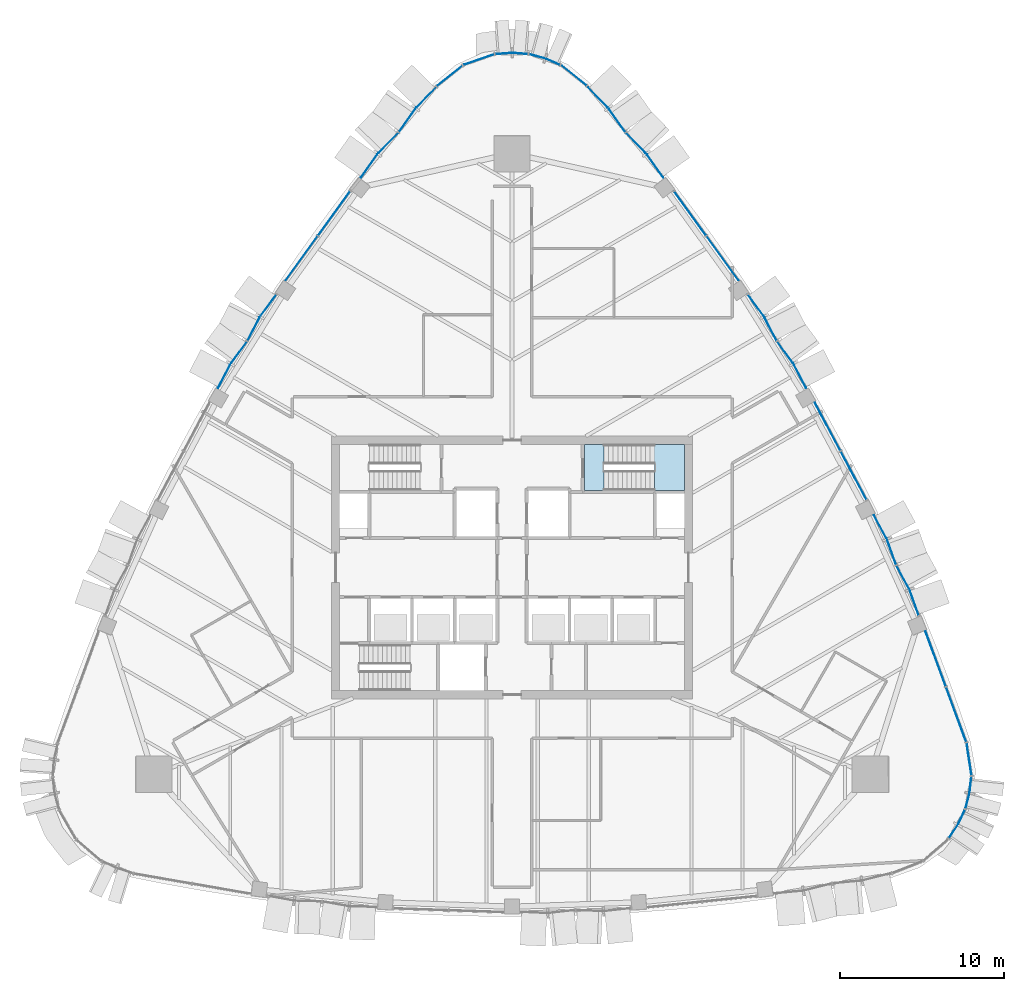
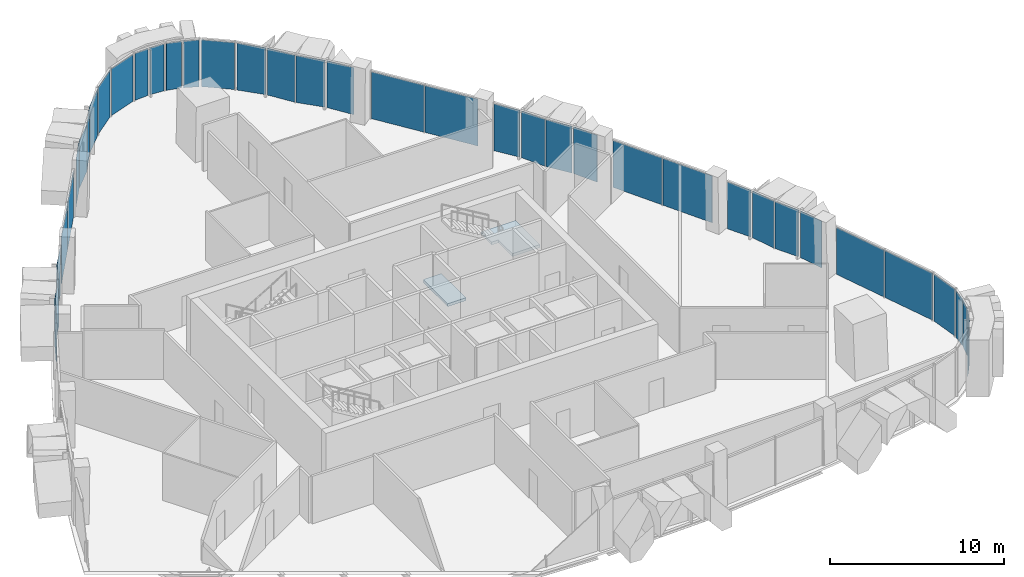
# One storey, part 10 of 18: 40 plates, 2 slabs, 18 elements without a shape of their own.
"""IFC4 building model written with IfcOpenShell, lengths in metres."""

from ifc_helpers import new_model, si_unit, direction, frame, origin, origin_2d, place, context, subcontext, project, spatial, polyline, rectangle, outline, extrude, material, layer, layer_set, type_object, element, aggregate, save


model = new_model("IFC4")

# Units and contexts
model_context = context("Model", 3, precision=1e-05, world=origin(), true_north=direction((0.0, 1.0)))
body_context = subcontext(model_context, "Body", "Model", "MODEL_VIEW")
ifc_project = project(units=[si_unit("LENGTHUNIT", "METRE"), si_unit("AREAUNIT", "SQUARE_METRE"), si_unit("VOLUMEUNIT", "CUBIC_METRE"), si_unit("PLANEANGLEUNIT", "RADIAN"), si_unit("MASSUNIT", "GRAM", prefix="KILO")], contexts=[model_context])

# Site, building, storey
site_placement = place(None, origin())
site = spatial("IfcSite", under=ifc_project, at=site_placement, CompositionType="ELEMENT")
building_placement = place(site_placement, origin())
building = spatial("IfcBuilding", under=site, at=building_placement, Name="Sierra Prisma Convention Tower", CompositionType="ELEMENT")
storey_placement = place(building_placement, frame((0.0, 0.0, 247.0)))
storey = spatial("IfcBuildingStorey", under=building, at=storey_placement, Name="L55", CompositionType="ELEMENT", Elevation=247.0)

# Curtain wall, plate
ifc_material_1 = material(Name="Aluminium and glass curtain wall", Category="aluminium")
ifc_layer_1 = layer(ifc_material_1, 0.179931640625)
ifc_layer_set_1 = layer_set([ifc_layer_1], Name="CW-1 Plain shaft curtain wall")
curtain_wall_type_1 = type_object("IfcCurtainWallType", Name="CW-1 Plain shaft curtain wall", PredefinedType="NOTDEFINED", material=ifc_layer_set_1)
curtain_wall_1_placement = place(storey_placement, origin())
curtain_wall_1 = element("IfcCurtainWall", 1, at=curtain_wall_1_placement, inside=storey, type_object=curtain_wall_type_1, Name="CW-1 SE5 L55", PredefinedType="NOTDEFINED")
ifc_material_2 = material(Name="Tinted glass bronze-grey IGU", Category="glass")
ifc_layer_2 = layer(ifc_material_2, 0.028076171875)
ifc_layer_set_2 = layer_set([ifc_layer_2], Name="CW-1 glass panel")
plate_type_1 = type_object("IfcPlateType", Name="CW-1 glass panel", PredefinedType="CURTAIN_PANEL", material=ifc_layer_set_2)
plate_1_placement = place(storey_placement, frame((27.8408203125, -11.705810546875, 0.0), z_axis=(0.0, 0.0, 1.0), x_axis=(-0.149593719484, 0.988747550738, 0.0)))
plate_1 = element("IfcPlate", 2, at=plate_1_placement, type_object=plate_type_1, Name="CW-1 panel SE5.1", PredefinedType="CURTAIN_PANEL", context=body_context, shape_type="SweptSolid", body=[
    extrude(rectangle(XDim=1.922119140625, YDim=0.028076171875, at=origin_2d()), origin(), (0.0, 0.0, 1.0), 3.280029296875),
])
aggregate(curtain_wall_1, [plate_1])

# Curtain wall, plates
curtain_wall_2_placement = place(storey_placement, origin())
curtain_wall_2 = element("IfcCurtainWall", 3, at=curtain_wall_2_placement, inside=storey, type_object=curtain_wall_type_1, Name="CW-1 NE1 L55", PredefinedType="NOTDEFINED")
plate_2_placement = place(storey_placement, frame((27.0498046875, -8.95703125, 0.0), z_axis=(0.0, 0.0, 1.0), x_axis=(-0.34549240732, 0.938421545194, 0.0)))
plate_2 = element("IfcPlate", 4, at=plate_2_placement, type_object=plate_type_1, Name="CW-1 panel NE1.1", PredefinedType="CURTAIN_PANEL", context=body_context, shape_type="SweptSolid", body=[
    extrude(rectangle(XDim=3.546142578125, YDim=0.028076171875, at=origin_2d()), origin(), (0.0, 0.0, 1.0), 3.280029296875),
])
plate_3_placement = place(storey_placement, frame((25.800537109375, -5.563720703125, 0.0), z_axis=(0.0, 0.0, 1.0), x_axis=(-0.34549240732, 0.938421545194, 0.0)))
plate_3 = element("IfcPlate", 5, at=plate_3_placement, type_object=plate_type_1, Name="CW-1 panel NE1.2", PredefinedType="CURTAIN_PANEL", context=body_context, shape_type="SweptSolid", body=[
    extrude(rectangle(XDim=3.546142578125, YDim=0.028076171875, at=origin_2d()), origin(), (0.0, 0.0, 1.0), 3.280029296875),
])
aggregate(curtain_wall_2, [plate_2, plate_3])

curtain_wall_3_placement = place(storey_placement, origin())
curtain_wall_3 = element("IfcCurtainWall", 6, at=curtain_wall_3_placement, inside=storey, type_object=curtain_wall_type_1, Name="CW-1 NE3 L55", PredefinedType="NOTDEFINED")
plate_4_placement = place(storey_placement, frame((20.810302734375, 5.595458984375, 0.0), z_axis=(0.0, 0.0, 1.0), x_axis=(-0.470124392235, 0.882600167587, 0.0)))
plate_4 = element("IfcPlate", 7, at=plate_4_placement, type_object=plate_type_1, Name="CW-1 panel NE3.1", PredefinedType="CURTAIN_PANEL", context=body_context, shape_type="SweptSolid", body=[
    extrude(rectangle(XDim=3.31494140625, YDim=0.028076171875, at=origin_2d()), origin(), (0.0, 0.0, 1.0), 3.280029296875),
])
plate_5_placement = place(storey_placement, frame((19.218994140625, 8.583251953125, 0.0), z_axis=(0.0, 0.0, 1.0), x_axis=(-0.470124392235, 0.882600167587, 0.0)))
plate_5 = element("IfcPlate", 8, at=plate_5_placement, type_object=plate_type_1, Name="CW-1 panel NE3.2", PredefinedType="CURTAIN_PANEL", context=body_context, shape_type="SweptSolid", body=[
    extrude(rectangle(XDim=3.31494140625, YDim=0.028076171875, at=origin_2d()), origin(), (0.0, 0.0, 1.0), 3.280029296875),
])
aggregate(curtain_wall_3, [plate_4, plate_5])

curtain_wall_4_placement = place(storey_placement, origin())
curtain_wall_4 = element("IfcCurtainWall", 9, at=curtain_wall_4_placement, inside=storey, type_object=curtain_wall_type_1, Name="CW-1 NE5 L55", PredefinedType="NOTDEFINED")
plate_6_placement = place(storey_placement, frame((12.820556640625, 18.840576171875, 0.0), z_axis=(0.0, 0.0, 1.0), x_axis=(-0.585988953145, 0.810319040127, 0.0)))
plate_6 = element("IfcPlate", 10, at=plate_6_placement, type_object=plate_type_1, Name="CW-1 panel NE5.1", PredefinedType="CURTAIN_PANEL", context=body_context, shape_type="SweptSolid", body=[
    extrude(rectangle(XDim=3.2998046875, YDim=0.028076171875, at=origin_2d()), origin(), (0.0, 0.0, 1.0), 3.280029296875),
])
plate_7_placement = place(storey_placement, frame((10.845703125, 21.5712890625, 0.0), z_axis=(0.0, 0.0, 1.0), x_axis=(-0.585988953145, 0.810319040127, 0.0)))
plate_7 = element("IfcPlate", 11, at=plate_7_placement, type_object=plate_type_1, Name="CW-1 panel NE5.2", PredefinedType="CURTAIN_PANEL", context=body_context, shape_type="SweptSolid", body=[
    extrude(rectangle(XDim=3.2998046875, YDim=0.028076171875, at=origin_2d()), origin(), (0.0, 0.0, 1.0), 3.280029296875),
])
aggregate(curtain_wall_4, [plate_6, plate_7])

# Curtain wall, plate
curtain_wall_5_placement = place(storey_placement, origin())
curtain_wall_5 = element("IfcCurtainWall", 12, at=curtain_wall_5_placement, inside=storey, type_object=curtain_wall_type_1, Name="CW-1 N1 L55", PredefinedType="NOTDEFINED")
plate_8_placement = place(storey_placement, frame((3.782958984375, 29.9638671875, 0.0), z_axis=(0.0, 0.0, 1.0), x_axis=(-0.781483637127, 0.623925736689, 0.0)))
plate_8 = element("IfcPlate", 13, at=plate_8_placement, type_object=plate_type_1, Name="CW-1 panel N1.1", PredefinedType="CURTAIN_PANEL", context=body_context, shape_type="SweptSolid", body=[
    extrude(rectangle(XDim=1.922119140625, YDim=0.028076171875, at=origin_2d()), origin(), (0.0, 0.0, 1.0), 3.280029296875),
])
aggregate(curtain_wall_5, [plate_8])

curtain_wall_6_placement = place(storey_placement, origin())
curtain_wall_6 = element("IfcCurtainWall", 14, at=curtain_wall_6_placement, inside=storey, type_object=curtain_wall_type_1, Name="CW-1 N4 L55", PredefinedType="NOTDEFINED")
plate_9_placement = place(storey_placement, frame((-2.004150390625, 30.947998046875, 0.0), z_axis=(0.0, 0.0, 1.0), x_axis=(-0.943791194366, -0.330542253632, 0.0)))
plate_9 = element("IfcPlate", 15, at=plate_9_placement, type_object=plate_type_1, Name="CW-1 panel N4.1", PredefinedType="CURTAIN_PANEL", context=body_context, shape_type="SweptSolid", body=[
    extrude(rectangle(XDim=1.922119140625, YDim=0.028076171875, at=origin_2d()), origin(), (0.0, 0.0, 1.0), 3.280029296875),
])
aggregate(curtain_wall_6, [plate_9])

curtain_wall_7_placement = place(storey_placement, origin())
curtain_wall_7 = element("IfcCurtainWall", 16, at=curtain_wall_7_placement, inside=storey, type_object=curtain_wall_type_1, Name="CW-1 N5 L55", PredefinedType="NOTDEFINED")
plate_10_placement = place(storey_placement, frame((-3.782958984375, 29.9638671875, 0.0), z_axis=(0.0, 0.0, 1.0), x_axis=(-0.781483637127, -0.623925736689, 0.0)))
plate_10 = element("IfcPlate", 17, at=plate_10_placement, type_object=plate_type_1, Name="CW-1 panel N5.1", PredefinedType="CURTAIN_PANEL", context=body_context, shape_type="SweptSolid", body=[
    extrude(rectangle(XDim=1.922119140625, YDim=0.028076171875, at=origin_2d()), origin(), (0.0, 0.0, 1.0), 3.280029296875),
])
aggregate(curtain_wall_7, [plate_10])

# Curtain wall, plates
curtain_wall_8_placement = place(storey_placement, origin())
curtain_wall_8 = element("IfcCurtainWall", 18, at=curtain_wall_8_placement, inside=storey, type_object=curtain_wall_type_1, Name="CW-1 NW2 L55", PredefinedType="NOTDEFINED")
plate_11_placement = place(storey_placement, frame((-10.8466796875, 21.570068359375, 0.0), z_axis=(0.0, 0.0, 1.0), x_axis=(-0.585988953145, -0.810319040127, 0.0)))
plate_11 = element("IfcPlate", 19, at=plate_11_placement, type_object=plate_type_1, Name="CW-1 panel NW2.1", PredefinedType="CURTAIN_PANEL", context=body_context, shape_type="SweptSolid", body=[
    extrude(rectangle(XDim=3.299072265625, YDim=0.028076171875, at=origin_2d()), origin(), (0.0, 0.0, 1.0), 3.280029296875),
])
plate_12_placement = place(storey_placement, frame((-12.82080078125, 18.840087890625, 0.0), z_axis=(0.0, 0.0, 1.0), x_axis=(-0.585988953145, -0.810319040127, 0.0)))
plate_12 = element("IfcPlate", 20, at=plate_12_placement, type_object=plate_type_1, Name="CW-1 panel NW2.2", PredefinedType="CURTAIN_PANEL", context=body_context, shape_type="SweptSolid", body=[
    extrude(rectangle(XDim=3.299072265625, YDim=0.028076171875, at=origin_2d()), origin(), (0.0, 0.0, 1.0), 3.280029296875),
])
aggregate(curtain_wall_8, [plate_11, plate_12])

ifc_material_3 = material(Name="Aluminium and glass curtain wall", Category="aluminium")
ifc_layer_3 = layer(ifc_material_3, 0.179931640625)
ifc_layer_set_3 = layer_set([ifc_layer_3], Name="CW-2 Faceted crystal curtain wall")
curtain_wall_type_2 = type_object("IfcCurtainWallType", Name="CW-2 Faceted crystal curtain wall", PredefinedType="NOTDEFINED", material=ifc_layer_set_3)
curtain_wall_9_placement = place(storey_placement, origin())
curtain_wall_9 = element("IfcCurtainWall", 21, at=curtain_wall_9_placement, inside=storey, type_object=curtain_wall_type_2, Name="CW-2 SE3 L55", PredefinedType="NOTDEFINED")
ifc_material_4 = material(Name="Tinted glass bronze-grey IGU", Category="glass")
ifc_layer_4 = layer(ifc_material_4, 0.028076171875)
ifc_layer_set_4 = layer_set([ifc_layer_4], Name="CW-2 crystal pane")
plate_type_2 = type_object("IfcPlateType", Name="CW-2 crystal pane", PredefinedType="CURTAIN_PANEL", material=ifc_layer_set_4)
plate_13_placement = place(storey_placement, frame((26.6162109375, -16.4765625, 0.0), z_axis=(0.8240260747, -0.566551876013, 0.0), x_axis=(0.566551876013, 0.8240260747, 0.0)))
plate_13 = element("IfcPlate", 22, at=plate_13_placement, type_object=plate_type_2, Name="CW-2 pane SE3.1.1", PredefinedType="CURTAIN_PANEL", context=body_context, shape_type="SweptSolid", body=[
    extrude(outline(polyline([(0.0, 0.0), (0.8989068173838217, 0.0), (0.8989068173838217, 3.2800292968749996), (0.0, 3.2800292968749996), (0.0, 0.0)])), origin(), (0.0, 0.0, -1.0), 0.028076171875),
])
plate_14_placement = place(storey_placement, frame((27.577392578125, -14.81201171875, 0.0), z_axis=(0.902529007769, -0.430629063274, 0.0), x_axis=(-0.430629063274, -0.902529007769, 0.0)))
plate_14 = element("IfcPlate", 23, at=plate_14_placement, type_object=plate_type_2, Name="CW-2 pane SE3.1.2", PredefinedType="CURTAIN_PANEL", context=body_context, shape_type="SweptSolid", body=[
    extrude(outline(polyline([(0.0, 0.0), (0.8991660439881252, 0.0), (0.8991660439881252, -3.280029296875), (0.0, -3.280029296875), (0.0, 0.0)])), origin(), (0.0, 0.0, -1.0), 0.028076171875),
])
aggregate(curtain_wall_9, [plate_13, plate_14])

curtain_wall_10_placement = place(storey_placement, origin())
curtain_wall_10 = element("IfcCurtainWall", 24, at=curtain_wall_10_placement, inside=storey, type_object=curtain_wall_type_2, Name="CW-2 SE4 L55", PredefinedType="NOTDEFINED")
plate_15_placement = place(storey_placement, frame((27.625244140625, -14.6826171875, 0.0), z_axis=(0.964970351777, -0.262358952946, 0.0), x_axis=(0.262358952946, 0.964970351777, 0.0)))
plate_15 = element("IfcPlate", 25, at=plate_15_placement, type_object=plate_type_2, Name="CW-2 pane SE4.1.1", PredefinedType="CURTAIN_PANEL", context=body_context, shape_type="SweptSolid", body=[
    extrude(outline(polyline([(0.0, 0.0), (0.8989205098658076, 0.0), (0.8989205098658076, 3.2800292968749996), (0.0, 3.2800292968749996), (0.0, 0.0)])), origin(), (0.0, 0.0, -1.0), 0.028076171875),
])
plate_16_placement = place(storey_placement, frame((27.982177734375, -12.794189453125, 0.0), z_axis=(0.994139387283, -0.108105867797, 0.0), x_axis=(-0.108105867797, -0.994139387283, 0.0)))
plate_16 = element("IfcPlate", 26, at=plate_16_placement, type_object=plate_type_2, Name="CW-2 pane SE4.1.2", PredefinedType="CURTAIN_PANEL", context=body_context, shape_type="SweptSolid", body=[
    extrude(outline(polyline([(0.0, 0.0), (0.8988223371190903, 0.0), (0.8988223371190903, -3.280029296875), (0.0, -3.280029296875), (0.0, 0.0)])), origin(), (0.0, 0.0, -1.0), 0.028076171875),
])
aggregate(curtain_wall_10, [plate_15, plate_16])

curtain_wall_11_placement = place(storey_placement, origin())
curtain_wall_11 = element("IfcCurtainWall", 27, at=curtain_wall_11_placement, inside=storey, type_object=curtain_wall_type_2, Name="CW-2 NE2 L55", PredefinedType="NOTDEFINED")
plate_17_placement = place(storey_placement, frame((24.77783203125, -2.897216796875, 0.0), z_axis=(0.941905109453, 0.335879092512, 0.0), x_axis=(-0.335879092512, 0.941905109453, 0.0)))
plate_17 = element("IfcPlate", 28, at=plate_17_placement, type_object=plate_type_2, Name="CW-2 pane NE2.1.1", PredefinedType="CURTAIN_PANEL", context=body_context, shape_type="SweptSolid", body=[
    extrude(outline(polyline([(0.0, 0.0), (1.5896659208002553, 0.0), (1.5896659208002553, 3.280029296875), (0.0, 3.280029296875), (0.0, 0.0)])), origin(), (0.0, 0.0, -1.0), 0.028076171875),
])
plate_18_placement = place(storey_placement, frame((23.429443359375, 0.11376953125, 0.0), z_axis=(0.877819264705, 0.478992002557, 0.0), x_axis=(0.478992002557, -0.877819264705, 0.0)))
plate_18 = element("IfcPlate", 29, at=plate_18_placement, type_object=plate_type_2, Name="CW-2 pane NE2.1.2", PredefinedType="CURTAIN_PANEL", context=body_context, shape_type="SweptSolid", body=[
    extrude(outline(polyline([(0.0, 0.0), (1.589743889899044, 0.0), (1.589743889899044, -3.280029296875), (0.0, -3.280029296875), (0.0, 0.0)])), origin(), (0.0, 0.0, -1.0), 0.028076171875),
])
plate_19_placement = place(storey_placement, frame((23.400634765625, 0.177490234375, 0.0), z_axis=(0.941905109453, 0.335879092512, 0.0), x_axis=(-0.335879092512, 0.941905109453, 0.0)))
plate_19 = element("IfcPlate", 30, at=plate_19_placement, type_object=plate_type_2, Name="CW-2 pane NE2.2.1", PredefinedType="CURTAIN_PANEL", context=body_context, shape_type="SweptSolid", body=[
    extrude(outline(polyline([(0.0, 0.0), (1.5896659208002553, 0.0), (1.5896659208002553, 3.280029296875), (0.0, 3.280029296875), (0.0, 0.0)])), origin(), (0.0, 0.0, -1.0), 0.028076171875),
])
plate_20_placement = place(storey_placement, frame((22.05224609375, 3.1884765625, 0.0), z_axis=(0.877784022973, 0.479056582267, 0.0), x_axis=(0.479056582267, -0.877784022973, 0.0)))
plate_20 = element("IfcPlate", 31, at=plate_20_placement, type_object=plate_type_2, Name="CW-2 pane NE2.2.2", PredefinedType="CURTAIN_PANEL", context=body_context, shape_type="SweptSolid", body=[
    extrude(outline(polyline([(0.0, 0.0), (1.5895295828568012, 0.0), (1.5895295828568012, -3.280029296875), (0.0, -3.280029296875), (0.0, 0.0)])), origin(), (0.0, 0.0, -1.0), 0.028076171875),
])
aggregate(curtain_wall_11, [plate_17, plate_18, plate_19, plate_20])

curtain_wall_12_placement = place(storey_placement, origin())
curtain_wall_12 = element("IfcCurtainWall", 32, at=curtain_wall_12_placement, inside=storey, type_object=curtain_wall_type_2, Name="CW-2 NE4 L55", PredefinedType="NOTDEFINED")
plate_21_placement = place(storey_placement, frame((17.919921875, 10.9462890625, 0.0), z_axis=(0.887349386811, 0.461097674821, 0.0), x_axis=(-0.461097674821, 0.887349386811, 0.0)))
plate_21 = element("IfcPlate", 33, at=plate_21_placement, type_object=plate_type_2, Name="CW-2 pane NE4.1.1", PredefinedType="CURTAIN_PANEL", context=body_context, shape_type="SweptSolid", body=[
    extrude(outline(polyline([(0.0, 0.0), (1.5974321837798515, 0.0), (1.5974321837798515, 3.280029296875), (0.0, 3.280029296875), (0.0, 0.0)])), origin(), (0.0, 0.0, -1.0), 0.028076171875),
])
plate_22_placement = place(storey_placement, frame((16.165283203125, 13.7587890625, 0.0), z_axis=(0.804252354308, 0.59428793576, 0.0), x_axis=(0.59428793576, -0.804252354308, 0.0)))
plate_22 = element("IfcPlate", 34, at=plate_22_placement, type_object=plate_type_2, Name="CW-2 pane NE4.1.2", PredefinedType="CURTAIN_PANEL", context=body_context, shape_type="SweptSolid", body=[
    extrude(outline(polyline([(0.0, 0.0), (1.5976479303940818, 0.0), (1.5976479303940818, -3.280029296875), (0.0, -3.280029296875), (0.0, 0.0)])), origin(), (0.0, 0.0, -1.0), 0.028076171875),
])
plate_23_placement = place(storey_placement, frame((16.128173828125, 13.818115234375, 0.0), z_axis=(0.887381874226, 0.46103514974, 0.0), x_axis=(-0.46103514974, 0.887381874226, 0.0)))
plate_23 = element("IfcPlate", 35, at=plate_23_placement, type_object=plate_type_2, Name="CW-2 pane NE4.2.1", PredefinedType="CURTAIN_PANEL", context=body_context, shape_type="SweptSolid", body=[
    extrude(outline(polyline([(0.0, 0.0), (1.5976488257797588, 0.0), (1.5976488257797588, 3.280029296875), (0.0, 3.280029296875), (0.0, 0.0)])), origin(), (0.0, 0.0, -1.0), 0.028076171875),
])
plate_24_placement = place(storey_placement, frame((14.373779296875, 16.630859375, 0.0), z_axis=(0.804379339803, 0.594116047332, 0.0), x_axis=(0.594116047332, -0.804379339803, 0.0)))
plate_24 = element("IfcPlate", 36, at=plate_24_placement, type_object=plate_type_2, Name="CW-2 pane NE4.2.2", PredefinedType="CURTAIN_PANEL", context=body_context, shape_type="SweptSolid", body=[
    extrude(outline(polyline([(0.0, 0.0), (1.5976992277226727, 0.0), (1.5976992277226727, -3.280029296875), (0.0, -3.280029296875), (0.0, 0.0)])), origin(), (0.0, 0.0, -1.0), 0.028076171875),
])
aggregate(curtain_wall_12, [plate_21, plate_22, plate_23, plate_24])

curtain_wall_13_placement = place(storey_placement, origin())
curtain_wall_13 = element("IfcCurtainWall", 37, at=curtain_wall_13_placement, inside=storey, type_object=curtain_wall_type_2, Name="CW-2 NE6 L55", PredefinedType="NOTDEFINED")
plate_25_placement = place(storey_placement, frame((9.216796875, 23.763427734375, 0.0), z_axis=(0.816228833793, 0.577728734689, 0.0), x_axis=(-0.577728734689, 0.816228833793, 0.0)))
plate_25 = element("IfcPlate", 38, at=plate_25_placement, type_object=plate_type_2, Name="CW-2 pane NE6.1.1", PredefinedType="CURTAIN_PANEL", context=body_context, shape_type="SweptSolid", body=[
    extrude(outline(polyline([(0.0, 0.0), (1.7135900898345875, 0.0), (1.7135900898345875, 3.280029296875), (0.0, 3.280029296875), (0.0, 0.0)])), origin(), (0.0, 0.0, -1.0), 0.028076171875),
])
plate_26_placement = place(storey_placement, frame((6.947509765625, 26.48828125, 0.0), z_axis=(0.715955627827, 0.698145786339, 0.0), x_axis=(0.698145786339, -0.715955627827, 0.0)))
plate_26 = element("IfcPlate", 39, at=plate_26_placement, type_object=plate_type_2, Name="CW-2 pane NE6.1.2", PredefinedType="CURTAIN_PANEL", context=body_context, shape_type="SweptSolid", body=[
    extrude(outline(polyline([(0.0, 0.0), (1.7135232868387655, 0.0), (1.7135232868387655, -3.280029296875), (0.0, -3.280029296875), (0.0, 0.0)])), origin(), (0.0, 0.0, -1.0), 0.028076171875),
])
plate_27_placement = place(storey_placement, frame((6.902587890625, 26.5419921875, 0.0), z_axis=(0.816296018291, 0.577633803133, 0.0), x_axis=(-0.577633803133, 0.816296018291, 0.0)))
plate_27 = element("IfcPlate", 40, at=plate_27_placement, type_object=plate_type_2, Name="CW-2 pane NE6.2.1", PredefinedType="CURTAIN_PANEL", context=body_context, shape_type="SweptSolid", body=[
    extrude(outline(polyline([(0.0, 0.0), (1.7134490543680676, 0.0), (1.7134490543680676, 3.280029296875), (0.0, 3.280029296875), (0.0, 0.0)])), origin(), (0.0, 0.0, -1.0), 0.028076171875),
])
plate_28_placement = place(storey_placement, frame((4.63330078125, 29.266845703125, 0.0), z_axis=(0.715814950964, 0.698290022825, 0.0), x_axis=(0.698290022825, -0.715814950964, 0.0)))
plate_28 = element("IfcPlate", 41, at=plate_28_placement, type_object=plate_type_2, Name="CW-2 pane NE6.2.2", PredefinedType="CURTAIN_PANEL", context=body_context, shape_type="SweptSolid", body=[
    extrude(outline(polyline([(0.0, 0.0), (1.7135189735123517, 0.0), (1.7135189735123517, -3.280029296875001), (0.0, -3.280029296875001), (0.0, 0.0)])), origin(), (0.0, 0.0, -1.0), 0.028076171875),
])
aggregate(curtain_wall_13, [plate_25, plate_26, plate_27, plate_28])

curtain_wall_14_placement = place(storey_placement, origin())
curtain_wall_14 = element("IfcCurtainWall", 42, at=curtain_wall_14_placement, inside=storey, type_object=curtain_wall_type_2, Name="CW-2 N2 L55", PredefinedType="NOTDEFINED")
plate_29_placement = place(storey_placement, frame((2.9111328125, 30.63037109375, 0.0), z_axis=(0.403566656675, 0.914950246527, 0.0), x_axis=(-0.914950246527, 0.403566656675, 0.0)))
plate_29 = element("IfcPlate", 43, at=plate_29_placement, type_object=plate_type_2, Name="CW-2 pane N2.1.1", PredefinedType="CURTAIN_PANEL", context=body_context, shape_type="SweptSolid", body=[
    extrude(outline(polyline([(0.0, 0.0), (0.898966658293249, 0.0), (0.898966658293249, 3.280029296875), (0.0, 3.280029296875), (0.0, 0.0)])), origin(), (0.0, 0.0, -1.0), 0.028076171875),
])
plate_30_placement = place(storey_placement, frame((1.09716796875, 31.265625, 0.0), z_axis=(0.255549182419, 0.966796056759, 0.0), x_axis=(0.966796056759, -0.255549182419, 0.0)))
plate_30 = element("IfcPlate", 44, at=plate_30_placement, type_object=plate_type_2, Name="CW-2 pane N2.1.2", PredefinedType="CURTAIN_PANEL", context=body_context, shape_type="SweptSolid", body=[
    extrude(outline(polyline([(0.0, 0.0), (0.8989906598434427, 0.0), (0.8989906598434427, -3.280029296875), (0.0, -3.280029296875), (0.0, 0.0)])), origin(), (0.0, 0.0, -1.0), 0.028076171875),
])
aggregate(curtain_wall_14, [plate_29, plate_30])

curtain_wall_15_placement = place(storey_placement, origin())
curtain_wall_15 = element("IfcCurtainWall", 45, at=curtain_wall_15_placement, inside=storey, type_object=curtain_wall_type_2, Name="CW-2 N3 L55", PredefinedType="NOTDEFINED")
plate_31_placement = place(storey_placement, frame((0.9609375, 31.288818359375, 0.0), z_axis=(0.078212414755, 0.996936717238, 0.0), x_axis=(-0.996936717238, 0.078212414755, 0.0)))
plate_31 = element("IfcPlate", 46, at=plate_31_placement, type_object=plate_type_2, Name="CW-2 pane N3.1.1", PredefinedType="CURTAIN_PANEL", context=body_context, shape_type="SweptSolid", body=[
    extrude(outline(polyline([(0.0, 0.0), (0.898994107527299, 0.0), (0.898994107527299, 3.280029296875), (0.0, 3.280029296875), (0.0, 0.0)])), origin(), (0.0, 0.0, -1.0), 0.028076171875),
])
plate_32_placement = place(storey_placement, frame((-0.9609375, 31.288818359375, 0.0), z_axis=(-0.078212414755, 0.996936717238, 0.0), x_axis=(0.996936717238, 0.078212414755, 0.0)))
plate_32 = element("IfcPlate", 47, at=plate_32_placement, type_object=plate_type_2, Name="CW-2 pane N3.1.2", PredefinedType="CURTAIN_PANEL", context=body_context, shape_type="SweptSolid", body=[
    extrude(outline(polyline([(0.0, 0.0), (0.898994107527299, 0.0), (0.898994107527299, -3.280029296875), (0.0, -3.280029296875), (0.0, 0.0)])), origin(), (0.0, 0.0, -1.0), 0.028076171875),
])
aggregate(curtain_wall_15, [plate_31, plate_32])

curtain_wall_16_placement = place(storey_placement, origin())
curtain_wall_16 = element("IfcCurtainWall", 48, at=curtain_wall_16_placement, inside=storey, type_object=curtain_wall_type_2, Name="CW-2 NW1 L55", PredefinedType="NOTDEFINED")
plate_33_placement = place(storey_placement, frame((-4.63330078125, 29.266845703125, 0.0), z_axis=(-0.715814950964, 0.698290022825, 0.0), x_axis=(-0.698290022825, -0.715814950964, 0.0)))
plate_33 = element("IfcPlate", 49, at=plate_33_placement, type_object=plate_type_2, Name="CW-2 pane NW1.1.1", PredefinedType="CURTAIN_PANEL", context=body_context, shape_type="SweptSolid", body=[
    extrude(outline(polyline([(0.0, 0.0), (1.7135189735123517, 0.0), (1.7135189735123517, 3.280029296875001), (0.0, 3.280029296875001), (0.0, 0.0)])), origin(), (0.0, 0.0, -1.0), 0.028076171875),
])
plate_34_placement = place(storey_placement, frame((-6.902587890625, 26.5419921875, 0.0), z_axis=(-0.816296018291, 0.577633803133, 0.0), x_axis=(0.577633803133, 0.816296018291, 0.0)))
plate_34 = element("IfcPlate", 50, at=plate_34_placement, type_object=plate_type_2, Name="CW-2 pane NW1.1.2", PredefinedType="CURTAIN_PANEL", context=body_context, shape_type="SweptSolid", body=[
    extrude(outline(polyline([(0.0, 0.0), (1.7134490543680676, 0.0), (1.7134490543680676, -3.280029296875), (0.0, -3.280029296875), (0.0, 0.0)])), origin(), (0.0, 0.0, -1.0), 0.028076171875),
])
plate_35_placement = place(storey_placement, frame((-6.947509765625, 26.48828125, 0.0), z_axis=(-0.715955627827, 0.698145786339, 0.0), x_axis=(-0.698145786339, -0.715955627827, 0.0)))
plate_35 = element("IfcPlate", 51, at=plate_35_placement, type_object=plate_type_2, Name="CW-2 pane NW1.2.1", PredefinedType="CURTAIN_PANEL", context=body_context, shape_type="SweptSolid", body=[
    extrude(outline(polyline([(0.0, 0.0), (1.7135232868387655, 0.0), (1.7135232868387655, 3.280029296875), (0.0, 3.280029296875), (0.0, 0.0)])), origin(), (0.0, 0.0, -1.0), 0.028076171875),
])
plate_36_placement = place(storey_placement, frame((-9.216796875, 23.763427734375, 0.0), z_axis=(-0.816228833793, 0.577728734689, 0.0), x_axis=(0.577728734689, 0.816228833793, 0.0)))
plate_36 = element("IfcPlate", 52, at=plate_36_placement, type_object=plate_type_2, Name="CW-2 pane NW1.2.2", PredefinedType="CURTAIN_PANEL", context=body_context, shape_type="SweptSolid", body=[
    extrude(outline(polyline([(0.0, 0.0), (1.7135900898345875, 0.0), (1.7135900898345875, -3.280029296875), (0.0, -3.280029296875), (0.0, 0.0)])), origin(), (0.0, 0.0, -1.0), 0.028076171875),
])
aggregate(curtain_wall_16, [plate_33, plate_34, plate_35, plate_36])

curtain_wall_17_placement = place(storey_placement, origin())
curtain_wall_17 = element("IfcCurtainWall", 53, at=curtain_wall_17_placement, inside=storey, type_object=curtain_wall_type_2, Name="CW-2 NW3 L55", PredefinedType="NOTDEFINED")
plate_37_placement = place(storey_placement, frame((-14.373779296875, 16.630615234375, 0.0), z_axis=(-0.804252354308, 0.59428793576, 0.0), x_axis=(-0.59428793576, -0.804252354308, 0.0)))
plate_37 = element("IfcPlate", 54, at=plate_37_placement, type_object=plate_type_2, Name="CW-2 pane NW3.1.1", PredefinedType="CURTAIN_PANEL", context=body_context, shape_type="SweptSolid", body=[
    extrude(outline(polyline([(0.0, 0.0), (1.5976479303940818, 0.0), (1.5976479303940818, 3.280029296875), (0.0, 3.280029296875), (0.0, 0.0)])), origin(), (0.0, 0.0, -1.0), 0.028076171875),
])
plate_38_placement = place(storey_placement, frame((-16.12841796875, 13.818115234375, 0.0), z_axis=(-0.887349386811, 0.461097674821, 0.0), x_axis=(0.461097674821, 0.887349386811, 0.0)))
plate_38 = element("IfcPlate", 55, at=plate_38_placement, type_object=plate_type_2, Name="CW-2 pane NW3.1.2", PredefinedType="CURTAIN_PANEL", context=body_context, shape_type="SweptSolid", body=[
    extrude(outline(polyline([(0.0, 0.0), (1.5974321837798515, 0.0), (1.5974321837798515, -3.280029296875), (0.0, -3.280029296875), (0.0, 0.0)])), origin(), (0.0, 0.0, -1.0), 0.028076171875),
])
plate_39_placement = place(storey_placement, frame((-16.16552734375, 13.7587890625, 0.0), z_axis=(-0.804325392757, 0.59418907981, 0.0), x_axis=(-0.59418907981, -0.804325392757, 0.0)))
plate_39 = element("IfcPlate", 56, at=plate_39_placement, type_object=plate_type_2, Name="CW-2 pane NW3.2.1", PredefinedType="CURTAIN_PANEL", context=body_context, shape_type="SweptSolid", body=[
    extrude(outline(polyline([(0.0, 0.0), (1.597502852632844, 0.0), (1.597502852632844, 3.280029296875), (0.0, 3.280029296875), (0.0, 0.0)])), origin(), (0.0, 0.0, -1.0), 0.028076171875),
])
plate_40_placement = place(storey_placement, frame((-17.919921875, 10.9462890625, 0.0), z_axis=(-0.887349386811, 0.461097674821, 0.0), x_axis=(0.461097674821, 0.887349386811, 0.0)))
plate_40 = element("IfcPlate", 57, at=plate_40_placement, type_object=plate_type_2, Name="CW-2 pane NW3.2.2", PredefinedType="CURTAIN_PANEL", context=body_context, shape_type="SweptSolid", body=[
    extrude(outline(polyline([(0.0, 0.0), (1.5974321837798515, 0.0), (1.5974321837798515, -3.280029296875), (0.0, -3.280029296875), (0.0, 0.0)])), origin(), (0.0, 0.0, -1.0), 0.028076171875),
])
aggregate(curtain_wall_17, [plate_37, plate_38, plate_39, plate_40])

# Stair, slab
ifc_material_5 = material(Name="Concrete C30/37", Category="concrete")
stair_type = type_object("IfcStairType", Name="Stair dog-leg 1200 RC", PredefinedType="HALF_TURN_STAIR", material=ifc_material_5)
stair_placement = place(storey_placement, origin())
stair = element("IfcStair", 58, at=stair_placement, inside=storey, type_object=stair_type, Name="L55 S4", PredefinedType="HALF_TURN_STAIR")
ifc_material_6 = material(Name="Concrete C35/45", Category="concrete")
ifc_layer_5 = layer(ifc_material_6, 0.199951171875)
ifc_layer_set_5 = layer_set([ifc_layer_5], Name="Stair landing slab")
slab_type = type_object("IfcSlabType", Name="Stair landing slab", PredefinedType="LANDING", material=ifc_layer_set_5)
slab_1_placement = place(storey_placement, frame((0.0, 0.0, 1.800048828125)))
slab_1 = element("IfcSlab", 59, at=slab_1_placement, type_object=slab_type, Name="S4 landing 1", PredefinedType="LANDING", context=body_context, shape_type="SweptSolid", body=[
    extrude(outline(polyline([(10.5, 7.5), (10.5, 4.699951171875), (8.677978515625, 4.699951171875), (8.677978515625, 6.300048828125), (8.22998046875, 6.300048828125), (8.22998046875, 7.5), (10.5, 7.5)])), origin(), (0.0, 0.0, 1.0), 0.199951171875),
])
aggregate(stair, [slab_1])

# Slab
slab_2_placement = place(storey_placement, frame((0.0, 0.0, -0.199951171875)))
element("IfcSlab", 60, at=slab_2_placement, inside=storey, type_object=slab_type, Name="S4 floor landing L55", PredefinedType="LANDING", context=body_context, shape_type="SweptSolid", body=[
    extrude(outline(polyline([(4.39990234375, 4.699951171875), (5.60205078125, 4.699951171875), (5.60205078125, 7.5), (4.39990234375, 7.5), (4.39990234375, 4.699951171875)])), origin(), (0.0, 0.0, 1.0), 0.199951171875),
])

save(model, "model.ifc")
